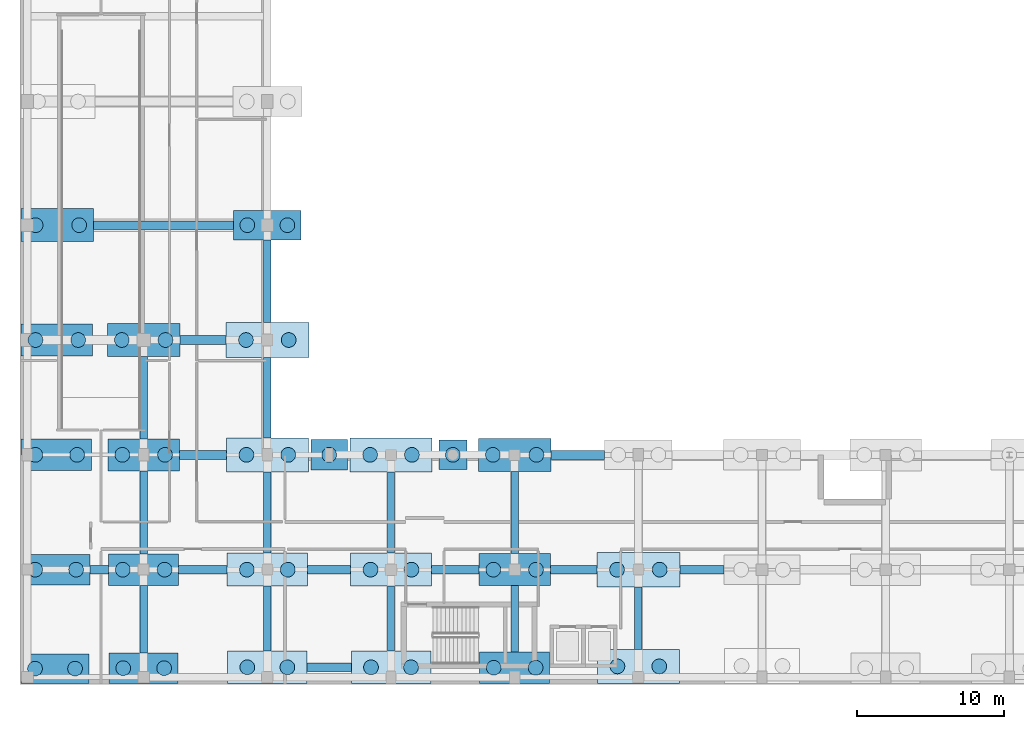
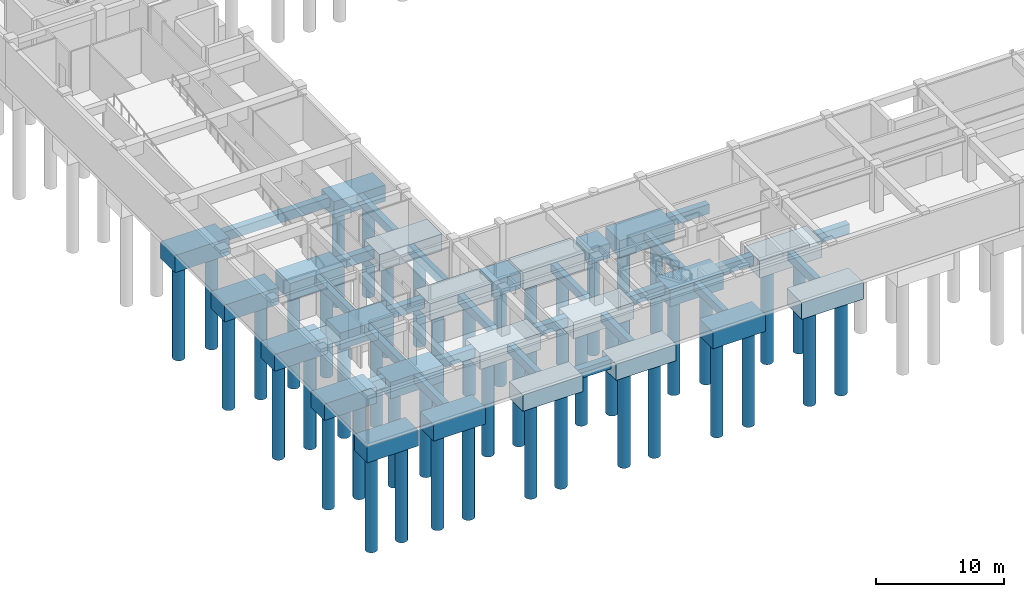
# One storey, part 1 of 42: 47 footings, 46 piles.
"""IFC4 building model written with IfcOpenShell, lengths in metres."""

from ifc_helpers import new_model, si_unit, direction, frame, origin, origin_2d, place, context, subcontext, project, spatial, rectangle, circle, extrude, material, material_profile, profile_set, type_object, element, save


model = new_model("IFC4")

# Units and contexts
model_context = context("Model", 3, precision=1e-05, world=origin(), true_north=direction((0.0, 1.0)))
body_context = subcontext(model_context, "Body", "Model", "MODEL_VIEW")
ifc_project = project(units=[si_unit("LENGTHUNIT", "METRE"), si_unit("AREAUNIT", "SQUARE_METRE"), si_unit("VOLUMEUNIT", "CUBIC_METRE"), si_unit("PLANEANGLEUNIT", "RADIAN"), si_unit("MASSUNIT", "GRAM", prefix="KILO")], contexts=[model_context])

# Site, building, storey
site_placement = place(None, origin())
site = spatial("IfcSite", under=ifc_project, at=site_placement, CompositionType="ELEMENT")
building_placement = place(site_placement, origin())
building = spatial("IfcBuilding", under=site, at=building_placement, Name="Quendrovan Civic Courthouse", CompositionType="ELEMENT")
storey_placement = place(building_placement, frame((0.0, 0.0, -4.5)))
storey = spatial("IfcBuildingStorey", under=building, at=storey_placement, Name="B1", CompositionType="ELEMENT", Elevation=-4.5)

# Footings
ifc_material = material(Name="Concrete C35/45", Category="concrete")
footing_type_1 = type_object("IfcFootingType", Name="FTG-PC1-190x202x140", PredefinedType="PILE_CAP", material=ifc_material)
footing_1_placement = place(storey_placement, frame((29.39990234375, 15.60009765625, -1.699951171875), z_axis=(0.0, 0.0, 1.0), x_axis=(1.0, 0.0, 0.0)))
element("IfcFooting", 1, at=footing_1_placement, inside=storey, type_object=footing_type_1, Name="Pile Cap PC1-01 at PIL-C6", PredefinedType="PILE_CAP", context=body_context, shape_type="SweptSolid", body=[
    extrude(rectangle(XDim=1.89990234375, YDim=2.02001953125, at=origin_2d()), origin(), (0.0, 0.0, 1.0), 1.39990234375),
])
footing_type_2 = type_object("IfcFootingType", Name="FTG-PC1-246x208x149", PredefinedType="PILE_CAP", material=ifc_material)
footing_2_placement = place(storey_placement, frame((21.0, 15.60009765625, -1.7900390625), z_axis=(0.0, 0.0, 1.0), x_axis=(1.0, 0.0, 0.0)))
element("IfcFooting", 2, at=footing_2_placement, inside=storey, type_object=footing_type_2, Name="Pile Cap PC1-08 at PIL-C5", PredefinedType="PILE_CAP", context=body_context, shape_type="SweptSolid", body=[
    extrude(rectangle(XDim=2.4599609375, YDim=2.080078125, at=origin_2d()), origin(), (0.0, 0.0, 1.0), 1.489990234375),
])
footing_type_3 = type_object("IfcFootingType", Name="FTG-PC2-459x200x155", PredefinedType="PILE_CAP", material=ifc_material)
for number, where, z_axis, x_axis, name in (
    (3, (2.3798828125, 1.080078125, -1.85009765625), (0.0, 0.0, 1.0), (1.0, 0.0, 0.0), "Pile Cap PC2-01 at 1-A"),
    (4, (16.800048828125, 31.199951171875, -1.85009765625), (0.0, 0.0, 1.0), (1.0, 0.0, 0.0), "Pile Cap PC2-01 at 3-E"),
):
    element("IfcFooting", number, at=place(storey_placement, frame(where, z_axis=z_axis, x_axis=x_axis)), inside=storey, type_object=footing_type_3, Name=name, PredefinedType="PILE_CAP", context=body_context, shape_type="SweptSolid", body=[
        extrude(rectangle(XDim=4.60009765625, YDim=2.0, at=origin_2d()), origin(), (0.0, 0.0, 1.0), 1.550048828125),
    ])
footing_type_4 = type_object("IfcFootingType", Name="FTG-PC2-468x206x157", PredefinedType="PILE_CAP", material=ifc_material)
for number, where, z_axis, x_axis, name in (
    (5, (2.419921875, 7.800048828125, -1.8701171875), (0.0, 0.0, 1.0), (1.0, 0.0, 0.0), "Pile Cap PC2-02 at 1-B"),
    (6, (8.39990234375, 1.110107421875, -1.8701171875), (0.0, 0.0, 1.0), (1.0, 0.0, 0.0), "Pile Cap PC2-02 at 2-A"),
):
    element("IfcFooting", number, at=place(storey_placement, frame(where, z_axis=z_axis, x_axis=x_axis)), inside=storey, type_object=footing_type_4, Name=name, PredefinedType="PILE_CAP", context=body_context, shape_type="SweptSolid", body=[
        extrude(rectangle(XDim=4.679931640625, YDim=2.06005859375, at=origin_2d()), origin(), (0.0, 0.0, 1.0), 1.570068359375),
    ])
footing_type_5 = type_object("IfcFootingType", Name="FTG-PC2-476x212x159", PredefinedType="PILE_CAP", material=ifc_material)
for number, where, z_axis, x_axis, name in (
    (7, (2.4599609375, 15.60009765625, -1.89013671875), (0.0, 0.0, 1.0), (1.0, 0.0, 0.0), "Pile Cap PC2-03 at 1-C"),
    (8, (8.39990234375, 7.800048828125, -1.89013671875), (0.0, 0.0, 1.0), (1.0, 0.0, 0.0), "Pile Cap PC2-03 at 2-B"),
    (9, (33.60009765625, 1.139892578125, -1.89013671875), (0.0, 0.0, 1.0), (1.0, 0.0, 0.0), "Pile Cap PC2-03 at 5-A"),
):
    element("IfcFooting", number, at=place(storey_placement, frame(where, z_axis=z_axis, x_axis=x_axis)), inside=storey, type_object=footing_type_5, Name=name, PredefinedType="PILE_CAP", context=body_context, shape_type="SweptSolid", body=[
        extrude(rectangle(XDim=4.760009765625, YDim=2.1201171875, at=origin_2d()), origin(), (0.0, 0.0, 1.0), 1.590087890625),
    ])
footing_type_6 = type_object("IfcFootingType", Name="FTG-PC2-484x218x161", PredefinedType="PILE_CAP", material=ifc_material)
for number, where, z_axis, x_axis, name in (
    (10, (2.5, 23.39990234375, -1.91015625), (0.0, 0.0, 1.0), (1.0, 0.0, 0.0), "Pile Cap PC2-04 at 1-D"),
    (11, (8.39990234375, 15.60009765625, -1.91015625), (0.0, 0.0, 1.0), (1.0, 0.0, 0.0), "Pile Cap PC2-04 at 2-C"),
    (12, (33.60009765625, 7.800048828125, -1.91015625), (0.0, 0.0, 1.0), (1.0, 0.0, 0.0), "Pile Cap PC2-04 at 5-B"),
):
    element("IfcFooting", number, at=place(storey_placement, frame(where, z_axis=z_axis, x_axis=x_axis)), inside=storey, type_object=footing_type_6, Name=name, PredefinedType="PILE_CAP", context=body_context, shape_type="SweptSolid", body=[
        extrude(rectangle(XDim=4.840087890625, YDim=2.179931640625, at=origin_2d()), origin(), (0.0, 0.0, 1.0), 1.610107421875),
    ])
footing_type_7 = type_object("IfcFootingType", Name="FTG-PC2-492x224x163", PredefinedType="PILE_CAP", material=ifc_material)
for number, where, z_axis, x_axis, name in (
    (13, (2.5400390625, 31.199951171875, -1.929931640625), (0.0, 0.0, 1.0), (1.0, 0.0, 0.0), "Pile Cap PC2-05 at 1-E"),
    (14, (8.39990234375, 23.39990234375, -1.929931640625), (0.0, 0.0, 1.0), (1.0, 0.0, 0.0), "Pile Cap PC2-05 at 2-D"),
    (15, (33.60009765625, 15.60009765625, -1.929931640625), (0.0, 0.0, 1.0), (1.0, 0.0, 0.0), "Pile Cap PC2-05 at 5-C"),
):
    element("IfcFooting", number, at=place(storey_placement, frame(where, z_axis=z_axis, x_axis=x_axis)), inside=storey, type_object=footing_type_7, Name=name, PredefinedType="PILE_CAP", context=body_context, shape_type="SweptSolid", body=[
        extrude(rectangle(XDim=4.919921875, YDim=2.239990234375, at=origin_2d()), origin(), (0.0, 0.0, 1.0), 1.6298828125),
    ])
footing_type_8 = type_object("IfcFootingType", Name="FTG-PC2-540x218x155", PredefinedType="PILE_CAP", material=ifc_material)
for number, where, z_axis, x_axis, name in (
    (16, (16.800048828125, 1.169921875, -1.85009765625), (0.0, 0.0, 1.0), (1.0, 0.0, 0.0), "Pile Cap PC2-11 at 3-A"),
    (17, (25.199951171875, 1.169921875, -1.85009765625), (0.0, 0.0, 1.0), (1.0, 0.0, 0.0), "Pile Cap PC2-11 at 4-A"),
):
    element("IfcFooting", number, at=place(storey_placement, frame(where, z_axis=z_axis, x_axis=x_axis)), inside=storey, type_object=footing_type_8, Name=name, PredefinedType="PILE_CAP", context=body_context, shape_type="SweptSolid", body=[
        extrude(rectangle(XDim=5.39990234375, YDim=2.179931640625, at=origin_2d()), origin(), (0.0, 0.0, 1.0), 1.550048828125),
    ])
footing_type_9 = type_object("IfcFootingType", Name="FTG-PC2-548x224x157", PredefinedType="PILE_CAP", material=ifc_material)
for number, where, z_axis, x_axis, name in (
    (18, (16.800048828125, 7.800048828125, -1.8701171875), (0.0, 0.0, 1.0), (1.0, 0.0, 0.0), "Pile Cap PC2-12 at 3-B"),
    (19, (25.199951171875, 7.800048828125, -1.8701171875), (0.0, 0.0, 1.0), (1.0, 0.0, 0.0), "Pile Cap PC2-12 at 4-B"),
):
    element("IfcFooting", number, at=place(storey_placement, frame(where, z_axis=z_axis, x_axis=x_axis)), inside=storey, type_object=footing_type_9, Name=name, PredefinedType="PILE_CAP", context=body_context, shape_type="SweptSolid", body=[
        extrude(rectangle(XDim=5.47998046875, YDim=2.239990234375, at=origin_2d()), origin(), (0.0, 0.0, 1.0), 1.570068359375),
    ])
footing_type_10 = type_object("IfcFootingType", Name="FTG-PC2-556x229x159", PredefinedType="PILE_CAP", material=ifc_material)
for number, where, z_axis, x_axis, name in (
    (20, (16.800048828125, 15.60009765625, -1.89013671875), (0.0, 0.0, 1.0), (1.0, 0.0, 0.0), "Pile Cap PC2-13 at 3-C"),
    (21, (25.199951171875, 15.60009765625, -1.89013671875), (0.0, 0.0, 1.0), (1.0, 0.0, 0.0), "Pile Cap PC2-13 at 4-C"),
    (22, (42.0, 1.22998046875, -1.89013671875), (0.0, 0.0, 1.0), (1.0, 0.0, 0.0), "Pile Cap PC2-13 at 6-A"),
):
    element("IfcFooting", number, at=place(storey_placement, frame(where, z_axis=z_axis, x_axis=x_axis)), inside=storey, type_object=footing_type_10, Name=name, PredefinedType="PILE_CAP", context=body_context, shape_type="SweptSolid", body=[
        extrude(rectangle(XDim=5.56005859375, YDim=2.300048828125, at=origin_2d()), origin(), (0.0, 0.0, 1.0), 1.590087890625),
    ])
footing_type_11 = type_object("IfcFootingType", Name="FTG-PC2-564x236x161", PredefinedType="PILE_CAP", material=ifc_material)
for number, where, z_axis, x_axis, name in (
    (23, (16.800048828125, 23.39990234375, -1.91015625), (0.0, 0.0, 1.0), (1.0, 0.0, 0.0), "Pile Cap PC2-14 at 3-D"),
    (24, (42.0, 7.800048828125, -1.91015625), (0.0, 0.0, 1.0), (1.0, 0.0, 0.0), "Pile Cap PC2-14 at 6-B"),
):
    element("IfcFooting", number, at=place(storey_placement, frame(where, z_axis=z_axis, x_axis=x_axis)), inside=storey, type_object=footing_type_11, Name=name, PredefinedType="PILE_CAP", context=body_context, shape_type="SweptSolid", body=[
        extrude(rectangle(XDim=5.639892578125, YDim=2.360107421875, at=origin_2d()), origin(), (0.0, 0.0, 1.0), 1.610107421875),
    ])
footing_type_12 = type_object("IfcFootingType", Name="FTG-TBX-1200", PredefinedType="FOOTING_BEAM", material=ifc_material)
footing_3_placement = place(storey_placement, frame((5.389892578125, 7.800048828125, -1.199951171875), z_axis=(0.0, 0.0, 1.0), x_axis=(1.0, 0.0, 0.0)))
element("IfcFooting", 25, at=footing_3_placement, inside=storey, type_object=footing_type_12, Name="Seismic Tie Beam TB-X-002", PredefinedType="FOOTING_BEAM", context=body_context, shape_type="SweptSolid", body=[
    extrude(rectangle(XDim=1.260009765625, YDim=0.60009765625, at=origin_2d()), origin(), (0.0, 0.0, 1.0), 0.89990234375),
])
footing_type_13 = type_object("IfcFootingType", Name="FTG-TBX-3000", PredefinedType="FOOTING_BEAM", material=ifc_material)
footing_4_placement = place(storey_placement, frame((21.0, 1.169921875, -1.199951171875), z_axis=(0.0, 0.0, 1.0), x_axis=(1.0, 0.0, 0.0)))
element("IfcFooting", 26, at=footing_4_placement, inside=storey, type_object=footing_type_13, Name="Seismic Tie Beam TB-X-001", PredefinedType="FOOTING_BEAM", context=body_context, shape_type="SweptSolid", body=[
    extrude(rectangle(XDim=3.0, YDim=0.60009765625, at=origin_2d()), origin(), (0.0, 0.0, 1.0), 0.89990234375),
])
footing_5_placement = place(storey_placement, frame((21.0, 7.800048828125, -1.199951171875), z_axis=(0.0, 0.0, 1.0), x_axis=(1.0, 0.0, 0.0)))
element("IfcFooting", 27, at=footing_5_placement, inside=storey, type_object=footing_type_13, Name="Seismic Tie Beam TB-X-004", PredefinedType="FOOTING_BEAM", context=body_context, shape_type="SweptSolid", body=[
    extrude(rectangle(XDim=2.919921875, YDim=0.60009765625, at=origin_2d()), origin(), (0.0, 0.0, 1.0), 0.89990234375),
])
footing_6_placement = place(storey_placement, frame((46.320068359375, 7.800048828125, -1.199951171875), z_axis=(0.0, 0.0, 1.0), x_axis=(1.0, 0.0, 0.0)))
element("IfcFooting", 28, at=footing_6_placement, inside=storey, type_object=footing_type_13, Name="Seismic Tie Beam TB-X-007", PredefinedType="FOOTING_BEAM", context=body_context, shape_type="SweptSolid", body=[
    extrude(rectangle(XDim=3.0, YDim=0.60009765625, at=origin_2d()), origin(), (0.0, 0.0, 1.0), 0.89990234375),
])
footing_type_14 = type_object("IfcFootingType", Name="FTG-TBX-3200", PredefinedType="FOOTING_BEAM", material=ifc_material)
footing_7_placement = place(storey_placement, frame((12.419921875, 7.800048828125, -1.199951171875), z_axis=(0.0, 0.0, 1.0), x_axis=(1.0, 0.0, 0.0)))
element("IfcFooting", 29, at=footing_7_placement, inside=storey, type_object=footing_type_14, Name="Seismic Tie Beam TB-X-003", PredefinedType="FOOTING_BEAM", context=body_context, shape_type="SweptSolid", body=[
    extrude(rectangle(XDim=3.280029296875, YDim=0.60009765625, at=origin_2d()), origin(), (0.0, 0.0, 1.0), 0.89990234375),
])
footing_8_placement = place(storey_placement, frame((29.56005859375, 7.800048828125, -1.199951171875), z_axis=(0.0, 0.0, 1.0), x_axis=(1.0, 0.0, 0.0)))
element("IfcFooting", 30, at=footing_8_placement, inside=storey, type_object=footing_type_14, Name="Seismic Tie Beam TB-X-005", PredefinedType="FOOTING_BEAM", context=body_context, shape_type="SweptSolid", body=[
    extrude(rectangle(XDim=3.239990234375, YDim=0.60009765625, at=origin_2d()), origin(), (0.0, 0.0, 1.0), 0.89990234375),
])
footing_9_placement = place(storey_placement, frame((37.60009765625, 7.800048828125, -1.199951171875), z_axis=(0.0, 0.0, 1.0), x_axis=(1.0, 0.0, 0.0)))
element("IfcFooting", 31, at=footing_9_placement, inside=storey, type_object=footing_type_14, Name="Seismic Tie Beam TB-X-006", PredefinedType="FOOTING_BEAM", context=body_context, shape_type="SweptSolid", body=[
    extrude(rectangle(XDim=3.159912109375, YDim=0.60009765625, at=origin_2d()), origin(), (0.0, 0.0, 1.0), 0.89990234375),
])
footing_10_placement = place(storey_placement, frame((12.419921875, 15.60009765625, -1.199951171875), z_axis=(0.0, 0.0, 1.0), x_axis=(1.0, 0.0, 0.0)))
element("IfcFooting", 32, at=footing_10_placement, inside=storey, type_object=footing_type_14, Name="Seismic Tie Beam TB-X-015", PredefinedType="FOOTING_BEAM", context=body_context, shape_type="SweptSolid", body=[
    extrude(rectangle(XDim=3.199951171875, YDim=0.60009765625, at=origin_2d()), origin(), (0.0, 0.0, 1.0), 0.89990234375),
])
footing_11_placement = place(storey_placement, frame((12.419921875, 23.39990234375, -1.199951171875), z_axis=(0.0, 0.0, 1.0), x_axis=(1.0, 0.0, 0.0)))
element("IfcFooting", 33, at=footing_11_placement, inside=storey, type_object=footing_type_14, Name="Seismic Tie Beam TB-X-024", PredefinedType="FOOTING_BEAM", context=body_context, shape_type="SweptSolid", body=[
    extrude(rectangle(XDim=3.1201171875, YDim=0.60009765625, at=origin_2d()), origin(), (0.0, 0.0, 1.0), 0.89990234375),
])
footing_type_15 = type_object("IfcFootingType", Name="FTG-TBX-3600", PredefinedType="FOOTING_BEAM", material=ifc_material)
footing_12_placement = place(storey_placement, frame((37.8798828125, 15.60009765625, -1.199951171875), z_axis=(0.0, 0.0, 1.0), x_axis=(1.0, 0.0, 0.0)))
element("IfcFooting", 34, at=footing_12_placement, inside=storey, type_object=footing_type_15, Name="Seismic Tie Beam TB-X-016", PredefinedType="FOOTING_BEAM", context=body_context, shape_type="SweptSolid", body=[
    extrude(rectangle(XDim=3.639892578125, YDim=0.60009765625, at=origin_2d()), origin(), (0.0, 0.0, 1.0), 0.89990234375),
])
footing_type_16 = type_object("IfcFootingType", Name="FTG-TBX-9600", PredefinedType="FOOTING_BEAM", material=ifc_material)
footing_13_placement = place(storey_placement, frame((9.75, 31.199951171875, -1.199951171875), z_axis=(0.0, 0.0, 1.0), x_axis=(1.0, 0.0, 0.0)))
element("IfcFooting", 35, at=footing_13_placement, inside=storey, type_object=footing_type_16, Name="Seismic Tie Beam TB-X-025", PredefinedType="FOOTING_BEAM", context=body_context, shape_type="SweptSolid", body=[
    extrude(rectangle(XDim=9.5, YDim=0.60009765625, at=origin_2d()), origin(), (0.0, 0.0, 1.0), 0.89990234375),
])
footing_type_17 = type_object("IfcFootingType", Name="FTG-TBY-4200", PredefinedType="FOOTING_BEAM", material=ifc_material)
footing_14_placement = place(storey_placement, frame((42.0, 4.5, -1.10009765625), z_axis=(0.0, 0.0, 1.0), x_axis=(1.0, 0.0, 0.0)))
element("IfcFooting", 36, at=footing_14_placement, inside=storey, type_object=footing_type_17, Name="Seismic Tie Beam TB-Y-120", PredefinedType="FOOTING_BEAM", context=body_context, shape_type="SweptSolid", body=[
    extrude(rectangle(XDim=0.5, YDim=4.239990234375, at=origin_2d()), origin(), (0.0, 0.0, 1.0), 0.800048828125),
])
footing_type_18 = type_object("IfcFootingType", Name="FTG-TBY-4400", PredefinedType="FOOTING_BEAM", material=ifc_material)
for number, where, z_axis, x_axis, name in (
    (37, (16.800048828125, 4.469970703125, -1.10009765625), (0.0, 0.0, 1.0), (1.0, 0.0, 0.0), "Seismic Tie Beam TB-Y-096"),
    (38, (25.199951171875, 4.469970703125, -1.10009765625), (0.0, 0.0, 1.0), (1.0, 0.0, 0.0), "Seismic Tie Beam TB-Y-109"),
):
    element("IfcFooting", number, at=place(storey_placement, frame(where, z_axis=z_axis, x_axis=x_axis)), inside=storey, type_object=footing_type_18, Name=name, PredefinedType="FOOTING_BEAM", context=body_context, shape_type="SweptSolid", body=[
        extrude(rectangle(XDim=0.5, YDim=4.419921875, at=origin_2d()), origin(), (0.0, 0.0, 1.0), 0.800048828125),
    ])
footing_type_19 = type_object("IfcFootingType", Name="FTG-TBY-4600", PredefinedType="FOOTING_BEAM", material=ifc_material)
footing_15_placement = place(storey_placement, frame((8.39990234375, 4.43994140625, -1.10009765625), z_axis=(0.0, 0.0, 1.0), x_axis=(1.0, 0.0, 0.0)))
element("IfcFooting", 39, at=footing_15_placement, inside=storey, type_object=footing_type_19, Name="Seismic Tie Beam TB-Y-090", PredefinedType="FOOTING_BEAM", context=body_context, shape_type="SweptSolid", body=[
    extrude(rectangle(XDim=0.5, YDim=4.60009765625, at=origin_2d()), origin(), (0.0, 0.0, 1.0), 0.800048828125),
])
footing_16_placement = place(storey_placement, frame((33.60009765625, 4.455078125, -1.10009765625), z_axis=(0.0, 0.0, 1.0), x_axis=(1.0, 0.0, 0.0)))
element("IfcFooting", 40, at=footing_16_placement, inside=storey, type_object=footing_type_19, Name="Seismic Tie Beam TB-Y-113", PredefinedType="FOOTING_BEAM", context=body_context, shape_type="SweptSolid", body=[
    extrude(rectangle(XDim=0.5, YDim=4.510009765625, at=origin_2d()), origin(), (0.0, 0.0, 1.0), 0.800048828125),
])
footing_type_20 = type_object("IfcFootingType", Name="FTG-TBY-5400", PredefinedType="FOOTING_BEAM", material=ifc_material)
footing_17_placement = place(storey_placement, frame((16.800048828125, 19.485107421875, -1.10009765625), z_axis=(0.0, 0.0, 1.0), x_axis=(1.0, 0.0, 0.0)))
element("IfcFooting", 41, at=footing_17_placement, inside=storey, type_object=footing_type_20, Name="Seismic Tie Beam TB-Y-098", PredefinedType="FOOTING_BEAM", context=body_context, shape_type="SweptSolid", body=[
    extrude(rectangle(XDim=0.5, YDim=5.469970703125, at=origin_2d()), origin(), (0.0, 0.0, 1.0), 0.800048828125),
])
footing_type_21 = type_object("IfcFootingType", Name="FTG-TBY-5600", PredefinedType="FOOTING_BEAM", material=ifc_material)
footing_18_placement = place(storey_placement, frame((8.39990234375, 11.68505859375, -1.10009765625), z_axis=(0.0, 0.0, 1.0), x_axis=(1.0, 0.0, 0.0)))
element("IfcFooting", 42, at=footing_18_placement, inside=storey, type_object=footing_type_21, Name="Seismic Tie Beam TB-Y-091", PredefinedType="FOOTING_BEAM", context=body_context, shape_type="SweptSolid", body=[
    extrude(rectangle(XDim=0.5, YDim=5.64990234375, at=origin_2d()), origin(), (0.0, 0.0, 1.0), 0.800048828125),
])
footing_19_placement = place(storey_placement, frame((8.39990234375, 19.485107421875, -1.10009765625), z_axis=(0.0, 0.0, 1.0), x_axis=(1.0, 0.0, 0.0)))
element("IfcFooting", 43, at=footing_19_placement, inside=storey, type_object=footing_type_21, Name="Seismic Tie Beam TB-Y-092", PredefinedType="FOOTING_BEAM", context=body_context, shape_type="SweptSolid", body=[
    extrude(rectangle(XDim=0.5, YDim=5.590087890625, at=origin_2d()), origin(), (0.0, 0.0, 1.0), 0.800048828125),
])
footing_20_placement = place(storey_placement, frame((16.800048828125, 11.68505859375, -1.10009765625), z_axis=(0.0, 0.0, 1.0), x_axis=(1.0, 0.0, 0.0)))
element("IfcFooting", 44, at=footing_20_placement, inside=storey, type_object=footing_type_21, Name="Seismic Tie Beam TB-Y-097", PredefinedType="FOOTING_BEAM", context=body_context, shape_type="SweptSolid", body=[
    extrude(rectangle(XDim=0.5, YDim=5.530029296875, at=origin_2d()), origin(), (0.0, 0.0, 1.0), 0.800048828125),
])
footing_21_placement = place(storey_placement, frame((16.800048828125, 27.389892578125, -1.10009765625), z_axis=(0.0, 0.0, 1.0), x_axis=(1.0, 0.0, 0.0)))
element("IfcFooting", 45, at=footing_21_placement, inside=storey, type_object=footing_type_21, Name="Seismic Tie Beam TB-Y-099", PredefinedType="FOOTING_BEAM", context=body_context, shape_type="SweptSolid", body=[
    extrude(rectangle(XDim=0.5, YDim=5.6201171875, at=origin_2d()), origin(), (0.0, 0.0, 1.0), 0.800048828125),
])
footing_22_placement = place(storey_placement, frame((25.199951171875, 11.68505859375, -1.10009765625), z_axis=(0.0, 0.0, 1.0), x_axis=(1.0, 0.0, 0.0)))
element("IfcFooting", 46, at=footing_22_placement, inside=storey, type_object=footing_type_21, Name="Seismic Tie Beam TB-Y-110", PredefinedType="FOOTING_BEAM", context=body_context, shape_type="SweptSolid", body=[
    extrude(rectangle(XDim=0.5, YDim=5.530029296875, at=origin_2d()), origin(), (0.0, 0.0, 1.0), 0.800048828125),
])
footing_23_placement = place(storey_placement, frame((33.60009765625, 11.68505859375, -1.10009765625), z_axis=(0.0, 0.0, 1.0), x_axis=(1.0, 0.0, 0.0)))
element("IfcFooting", 47, at=footing_23_placement, inside=storey, type_object=footing_type_21, Name="Seismic Tie Beam TB-Y-114", PredefinedType="FOOTING_BEAM", context=body_context, shape_type="SweptSolid", body=[
    extrude(rectangle(XDim=0.5, YDim=5.590087890625, at=origin_2d()), origin(), (0.0, 0.0, 1.0), 0.800048828125),
])

# Piles
ifc_material_profile = material_profile(ifc_material, circle(Radius=0.5, at=origin_2d()), Name="PILE-D1000")
ifc_profile_set = profile_set([ifc_material_profile], Name="Concrete C35/45")
pile_type = type_object("IfcPileType", Name="PILE-B1000", PredefinedType="BORED", material=ifc_profile_set)
for number, where, z_axis, x_axis, name in (
    (48, (1.02001953125, 1.080078125, -1.75), (0.0, 0.0, -1.0), (1.0, 0.0, 0.0), "Bored Pile PILE-1-A-1"),
    (49, (3.739990234375, 1.080078125, -1.75), (0.0, 0.0, -1.0), (1.0, 0.0, 0.0), "Bored Pile PILE-1-A-2"),
):
    element("IfcPile", number, at=place(storey_placement, frame(where, z_axis=z_axis, x_axis=x_axis)), inside=storey, type_object=pile_type, Name=name, PredefinedType="BORED", context=body_context, shape_type="SweptSolid", body=[
        extrude(circle(Radius=0.5, at=origin_2d()), origin(), (0.0, 0.0, 1.0), 9.25),
    ])
for number, where, z_axis, x_axis, name in (
    (50, (1.030029296875, 7.800048828125, -1.77001953125), (0.0, 0.0, -1.0), (1.0, 0.0, 0.0), "Bored Pile PILE-1-B-1"),
    (51, (3.81005859375, 7.800048828125, -1.77001953125), (0.0, 0.0, -1.0), (1.0, 0.0, 0.0), "Bored Pile PILE-1-B-2"),
):
    element("IfcPile", number, at=place(storey_placement, frame(where, z_axis=z_axis, x_axis=x_axis)), inside=storey, type_object=pile_type, Name=name, PredefinedType="BORED", context=body_context, shape_type="SweptSolid", body=[
        extrude(circle(Radius=0.5, at=origin_2d()), origin(), (0.0, 0.0, 1.0), 9.22998046875),
    ])
for number, where, z_axis, x_axis, name in (
    (52, (1.0400390625, 15.60009765625, -1.7900390625), (0.0, 0.0, -1.0), (1.0, 0.0, 0.0), "Bored Pile PILE-1-C-1"),
    (53, (3.8798828125, 15.60009765625, -1.7900390625), (0.0, 0.0, -1.0), (1.0, 0.0, 0.0), "Bored Pile PILE-1-C-2"),
):
    element("IfcPile", number, at=place(storey_placement, frame(where, z_axis=z_axis, x_axis=x_axis)), inside=storey, type_object=pile_type, Name=name, PredefinedType="BORED", context=body_context, shape_type="SweptSolid", body=[
        extrude(circle(Radius=0.5, at=origin_2d()), origin(), (0.0, 0.0, 1.0), 9.2099609375),
    ])
for number, where, z_axis, x_axis, name in (
    (54, (1.050048828125, 23.39990234375, -1.81005859375), (0.0, 0.0, -1.0), (1.0, 0.0, 0.0), "Bored Pile PILE-1-D-1"),
    (55, (3.949951171875, 23.39990234375, -1.81005859375), (0.0, 0.0, -1.0), (1.0, 0.0, 0.0), "Bored Pile PILE-1-D-2"),
):
    element("IfcPile", number, at=place(storey_placement, frame(where, z_axis=z_axis, x_axis=x_axis)), inside=storey, type_object=pile_type, Name=name, PredefinedType="BORED", context=body_context, shape_type="SweptSolid", body=[
        extrude(circle(Radius=0.5, at=origin_2d()), origin(), (0.0, 0.0, 1.0), 9.18994140625),
    ])
for number, where, z_axis, x_axis, name in (
    (56, (1.06005859375, 31.199951171875, -1.830078125), (0.0, 0.0, -1.0), (1.0, 0.0, 0.0), "Bored Pile PILE-1-E-1"),
    (57, (4.02001953125, 31.199951171875, -1.830078125), (0.0, 0.0, -1.0), (1.0, 0.0, 0.0), "Bored Pile PILE-1-E-2"),
):
    element("IfcPile", number, at=place(storey_placement, frame(where, z_axis=z_axis, x_axis=x_axis)), inside=storey, type_object=pile_type, Name=name, PredefinedType="BORED", context=body_context, shape_type="SweptSolid", body=[
        extrude(circle(Radius=0.5, at=origin_2d()), origin(), (0.0, 0.0, 1.0), 9.169921875),
    ])
for number, where, z_axis, x_axis, name in (
    (58, (7.010009765625, 1.110107421875, -1.77001953125), (0.0, 0.0, -1.0), (1.0, 0.0, 0.0), "Bored Pile PILE-2-A-1"),
    (59, (9.7900390625, 1.110107421875, -1.77001953125), (0.0, 0.0, -1.0), (1.0, 0.0, 0.0), "Bored Pile PILE-2-A-2"),
):
    element("IfcPile", number, at=place(storey_placement, frame(where, z_axis=z_axis, x_axis=x_axis)), inside=storey, type_object=pile_type, Name=name, PredefinedType="BORED", context=body_context, shape_type="SweptSolid", body=[
        extrude(circle(Radius=0.5, at=origin_2d()), origin(), (0.0, 0.0, 1.0), 9.22998046875),
    ])
for number, where, z_axis, x_axis, name in (
    (60, (6.97998046875, 7.800048828125, -1.7900390625), (0.0, 0.0, -1.0), (1.0, 0.0, 0.0), "Bored Pile PILE-2-B-1"),
    (61, (9.820068359375, 7.800048828125, -1.7900390625), (0.0, 0.0, -1.0), (1.0, 0.0, 0.0), "Bored Pile PILE-2-B-2"),
):
    element("IfcPile", number, at=place(storey_placement, frame(where, z_axis=z_axis, x_axis=x_axis)), inside=storey, type_object=pile_type, Name=name, PredefinedType="BORED", context=body_context, shape_type="SweptSolid", body=[
        extrude(circle(Radius=0.5, at=origin_2d()), origin(), (0.0, 0.0, 1.0), 9.2099609375),
    ])
for number, where, z_axis, x_axis, name in (
    (62, (6.949951171875, 15.60009765625, -1.81005859375), (0.0, 0.0, -1.0), (1.0, 0.0, 0.0), "Bored Pile PILE-2-C-1"),
    (63, (9.85009765625, 15.60009765625, -1.81005859375), (0.0, 0.0, -1.0), (1.0, 0.0, 0.0), "Bored Pile PILE-2-C-2"),
):
    element("IfcPile", number, at=place(storey_placement, frame(where, z_axis=z_axis, x_axis=x_axis)), inside=storey, type_object=pile_type, Name=name, PredefinedType="BORED", context=body_context, shape_type="SweptSolid", body=[
        extrude(circle(Radius=0.5, at=origin_2d()), origin(), (0.0, 0.0, 1.0), 9.18994140625),
    ])
for number, where, z_axis, x_axis, name in (
    (64, (6.919921875, 23.39990234375, -1.830078125), (0.0, 0.0, -1.0), (1.0, 0.0, 0.0), "Bored Pile PILE-2-D-1"),
    (65, (9.8798828125, 23.39990234375, -1.830078125), (0.0, 0.0, -1.0), (1.0, 0.0, 0.0), "Bored Pile PILE-2-D-2"),
):
    element("IfcPile", number, at=place(storey_placement, frame(where, z_axis=z_axis, x_axis=x_axis)), inside=storey, type_object=pile_type, Name=name, PredefinedType="BORED", context=body_context, shape_type="SweptSolid", body=[
        extrude(circle(Radius=0.5, at=origin_2d()), origin(), (0.0, 0.0, 1.0), 9.169921875),
    ])
for number, where, z_axis, x_axis, name in (
    (66, (15.43994140625, 1.169921875, -1.75), (0.0, 0.0, -1.0), (1.0, 0.0, 0.0), "Bored Pile PILE-3-A-1"),
    (67, (18.159912109375, 1.169921875, -1.75), (0.0, 0.0, -1.0), (1.0, 0.0, 0.0), "Bored Pile PILE-3-A-2"),
):
    element("IfcPile", number, at=place(storey_placement, frame(where, z_axis=z_axis, x_axis=x_axis)), inside=storey, type_object=pile_type, Name=name, PredefinedType="BORED", context=body_context, shape_type="SweptSolid", body=[
        extrude(circle(Radius=0.5, at=origin_2d()), origin(), (0.0, 0.0, 1.0), 9.25),
    ])
for number, where, z_axis, x_axis, name in (
    (68, (15.409912109375, 7.800048828125, -1.77001953125), (0.0, 0.0, -1.0), (1.0, 0.0, 0.0), "Bored Pile PILE-3-B-1"),
    (69, (18.18994140625, 7.800048828125, -1.77001953125), (0.0, 0.0, -1.0), (1.0, 0.0, 0.0), "Bored Pile PILE-3-B-2"),
):
    element("IfcPile", number, at=place(storey_placement, frame(where, z_axis=z_axis, x_axis=x_axis)), inside=storey, type_object=pile_type, Name=name, PredefinedType="BORED", context=body_context, shape_type="SweptSolid", body=[
        extrude(circle(Radius=0.5, at=origin_2d()), origin(), (0.0, 0.0, 1.0), 9.22998046875),
    ])
for number, where, z_axis, x_axis, name in (
    (70, (15.3798828125, 15.60009765625, -1.7900390625), (0.0, 0.0, -1.0), (1.0, 0.0, 0.0), "Bored Pile PILE-3-C-1"),
    (71, (18.219970703125, 15.60009765625, -1.7900390625), (0.0, 0.0, -1.0), (1.0, 0.0, 0.0), "Bored Pile PILE-3-C-2"),
):
    element("IfcPile", number, at=place(storey_placement, frame(where, z_axis=z_axis, x_axis=x_axis)), inside=storey, type_object=pile_type, Name=name, PredefinedType="BORED", context=body_context, shape_type="SweptSolid", body=[
        extrude(circle(Radius=0.5, at=origin_2d()), origin(), (0.0, 0.0, 1.0), 9.2099609375),
    ])
for number, where, z_axis, x_axis, name in (
    (72, (15.35009765625, 23.39990234375, -1.81005859375), (0.0, 0.0, -1.0), (1.0, 0.0, 0.0), "Bored Pile PILE-3-D-1"),
    (73, (18.25, 23.39990234375, -1.81005859375), (0.0, 0.0, -1.0), (1.0, 0.0, 0.0), "Bored Pile PILE-3-D-2"),
):
    element("IfcPile", number, at=place(storey_placement, frame(where, z_axis=z_axis, x_axis=x_axis)), inside=storey, type_object=pile_type, Name=name, PredefinedType="BORED", context=body_context, shape_type="SweptSolid", body=[
        extrude(circle(Radius=0.5, at=origin_2d()), origin(), (0.0, 0.0, 1.0), 9.18994140625),
    ])
for number, where, z_axis, x_axis, name in (
    (74, (15.43994140625, 31.199951171875, -1.75), (0.0, 0.0, -1.0), (1.0, 0.0, 0.0), "Bored Pile PILE-3-E-1"),
    (75, (18.159912109375, 31.199951171875, -1.75), (0.0, 0.0, -1.0), (1.0, 0.0, 0.0), "Bored Pile PILE-3-E-2"),
    (76, (23.840087890625, 1.169921875, -1.75), (0.0, 0.0, -1.0), (1.0, 0.0, 0.0), "Bored Pile PILE-4-A-1"),
    (77, (26.56005859375, 1.169921875, -1.75), (0.0, 0.0, -1.0), (1.0, 0.0, 0.0), "Bored Pile PILE-4-A-2"),
):
    element("IfcPile", number, at=place(storey_placement, frame(where, z_axis=z_axis, x_axis=x_axis)), inside=storey, type_object=pile_type, Name=name, PredefinedType="BORED", context=body_context, shape_type="SweptSolid", body=[
        extrude(circle(Radius=0.5, at=origin_2d()), origin(), (0.0, 0.0, 1.0), 9.25),
    ])
for number, where, z_axis, x_axis, name in (
    (78, (23.81005859375, 7.800048828125, -1.77001953125), (0.0, 0.0, -1.0), (1.0, 0.0, 0.0), "Bored Pile PILE-4-B-1"),
    (79, (26.590087890625, 7.800048828125, -1.77001953125), (0.0, 0.0, -1.0), (1.0, 0.0, 0.0), "Bored Pile PILE-4-B-2"),
):
    element("IfcPile", number, at=place(storey_placement, frame(where, z_axis=z_axis, x_axis=x_axis)), inside=storey, type_object=pile_type, Name=name, PredefinedType="BORED", context=body_context, shape_type="SweptSolid", body=[
        extrude(circle(Radius=0.5, at=origin_2d()), origin(), (0.0, 0.0, 1.0), 9.22998046875),
    ])
for number, where, z_axis, x_axis, name in (
    (80, (23.780029296875, 15.60009765625, -1.7900390625), (0.0, 0.0, -1.0), (1.0, 0.0, 0.0), "Bored Pile PILE-4-C-1"),
    (81, (26.6201171875, 15.60009765625, -1.7900390625), (0.0, 0.0, -1.0), (1.0, 0.0, 0.0), "Bored Pile PILE-4-C-2"),
    (82, (32.179931640625, 1.139892578125, -1.7900390625), (0.0, 0.0, -1.0), (1.0, 0.0, 0.0), "Bored Pile PILE-5-A-1"),
    (83, (35.02001953125, 1.139892578125, -1.7900390625), (0.0, 0.0, -1.0), (1.0, 0.0, 0.0), "Bored Pile PILE-5-A-2"),
):
    element("IfcPile", number, at=place(storey_placement, frame(where, z_axis=z_axis, x_axis=x_axis)), inside=storey, type_object=pile_type, Name=name, PredefinedType="BORED", context=body_context, shape_type="SweptSolid", body=[
        extrude(circle(Radius=0.5, at=origin_2d()), origin(), (0.0, 0.0, 1.0), 9.2099609375),
    ])
for number, where, z_axis, x_axis, name in (
    (84, (32.14990234375, 7.800048828125, -1.81005859375), (0.0, 0.0, -1.0), (1.0, 0.0, 0.0), "Bored Pile PILE-5-B-1"),
    (85, (35.050048828125, 7.800048828125, -1.81005859375), (0.0, 0.0, -1.0), (1.0, 0.0, 0.0), "Bored Pile PILE-5-B-2"),
):
    element("IfcPile", number, at=place(storey_placement, frame(where, z_axis=z_axis, x_axis=x_axis)), inside=storey, type_object=pile_type, Name=name, PredefinedType="BORED", context=body_context, shape_type="SweptSolid", body=[
        extrude(circle(Radius=0.5, at=origin_2d()), origin(), (0.0, 0.0, 1.0), 9.18994140625),
    ])
for number, where, z_axis, x_axis, name in (
    (86, (32.1201171875, 15.60009765625, -1.830078125), (0.0, 0.0, -1.0), (1.0, 0.0, 0.0), "Bored Pile PILE-5-C-1"),
    (87, (35.080078125, 15.60009765625, -1.830078125), (0.0, 0.0, -1.0), (1.0, 0.0, 0.0), "Bored Pile PILE-5-C-2"),
):
    element("IfcPile", number, at=place(storey_placement, frame(where, z_axis=z_axis, x_axis=x_axis)), inside=storey, type_object=pile_type, Name=name, PredefinedType="BORED", context=body_context, shape_type="SweptSolid", body=[
        extrude(circle(Radius=0.5, at=origin_2d()), origin(), (0.0, 0.0, 1.0), 9.169921875),
    ])
for number, where, z_axis, x_axis, name in (
    (88, (40.580078125, 1.22998046875, -1.7900390625), (0.0, 0.0, -1.0), (1.0, 0.0, 0.0), "Bored Pile PILE-6-A-1"),
    (89, (43.419921875, 1.22998046875, -1.7900390625), (0.0, 0.0, -1.0), (1.0, 0.0, 0.0), "Bored Pile PILE-6-A-2"),
):
    element("IfcPile", number, at=place(storey_placement, frame(where, z_axis=z_axis, x_axis=x_axis)), inside=storey, type_object=pile_type, Name=name, PredefinedType="BORED", context=body_context, shape_type="SweptSolid", body=[
        extrude(circle(Radius=0.5, at=origin_2d()), origin(), (0.0, 0.0, 1.0), 9.2099609375),
    ])
for number, where, z_axis, x_axis, name in (
    (90, (40.550048828125, 7.800048828125, -1.81005859375), (0.0, 0.0, -1.0), (1.0, 0.0, 0.0), "Bored Pile PILE-6-B-1"),
    (91, (43.449951171875, 7.800048828125, -1.81005859375), (0.0, 0.0, -1.0), (1.0, 0.0, 0.0), "Bored Pile PILE-6-B-2"),
):
    element("IfcPile", number, at=place(storey_placement, frame(where, z_axis=z_axis, x_axis=x_axis)), inside=storey, type_object=pile_type, Name=name, PredefinedType="BORED", context=body_context, shape_type="SweptSolid", body=[
        extrude(circle(Radius=0.5, at=origin_2d()), origin(), (0.0, 0.0, 1.0), 9.18994140625),
    ])
pile_1_placement = place(storey_placement, frame((21.0, 15.60009765625, -1.68994140625), z_axis=(0.0, 0.0, -1.0), x_axis=(1.0, 0.0, 0.0)))
element("IfcPile", 92, at=pile_1_placement, inside=storey, type_object=pile_type, Name="Bored Pile PILE-PIL-C5-1", PredefinedType="BORED", context=body_context, shape_type="SweptSolid", body=[
    extrude(circle(Radius=0.5, at=origin_2d()), origin(), (0.0, 0.0, 1.0), 9.31005859375),
])
pile_2_placement = place(storey_placement, frame((29.39990234375, 15.60009765625, -1.60009765625), z_axis=(0.0, 0.0, -1.0), x_axis=(1.0, 0.0, 0.0)))
element("IfcPile", 93, at=pile_2_placement, inside=storey, type_object=pile_type, Name="Bored Pile PILE-PIL-C6-1", PredefinedType="BORED", context=body_context, shape_type="SweptSolid", body=[
    extrude(circle(Radius=0.5, at=origin_2d()), origin(), (0.0, 0.0, 1.0), 9.39990234375),
])

save(model, "model.ifc")
